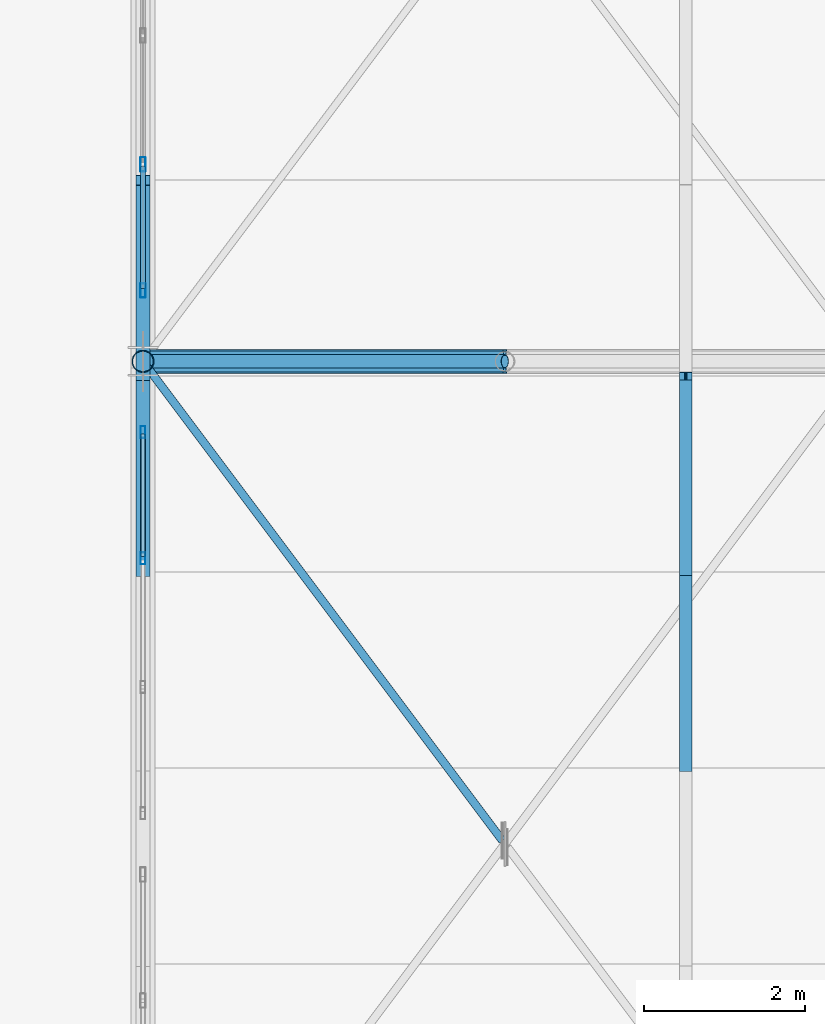
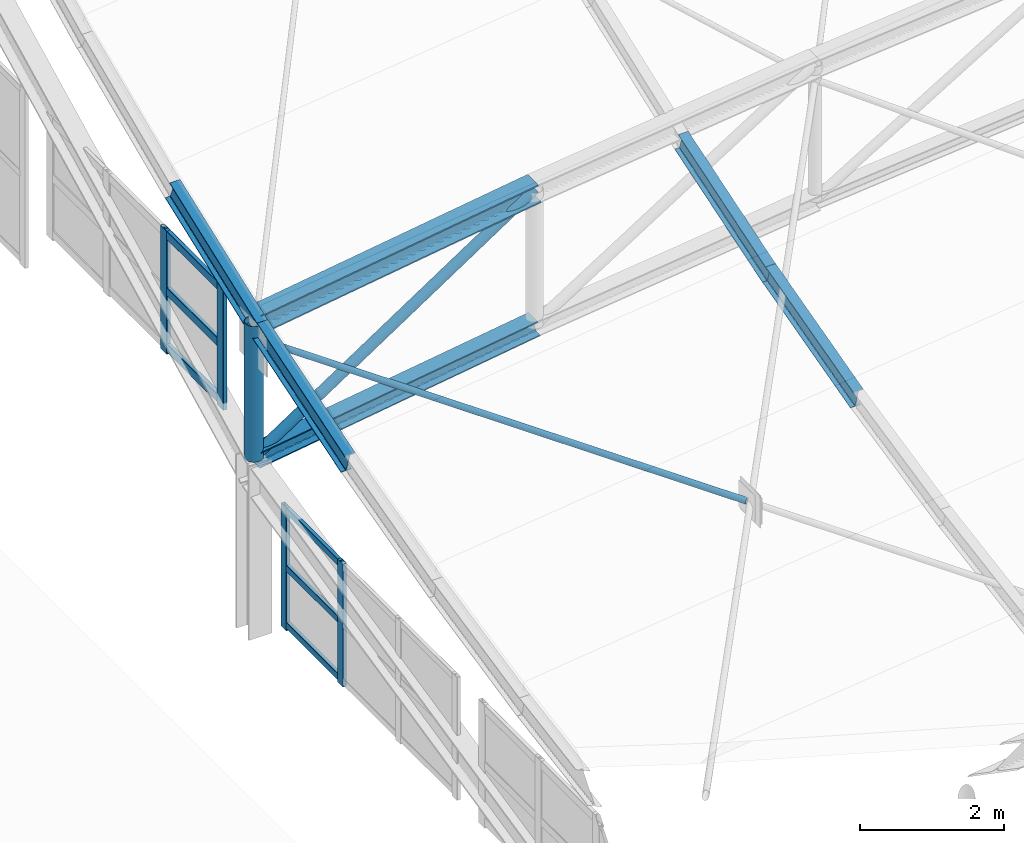
# One storey, part 112 of 262: 19 members, 2 elements without a shape of their own.
"""IFC4 building model written with IfcOpenShell, lengths in metres."""

from ifc_helpers import new_model, si_unit, derived_unit, direction, frame, origin, origin_2d, place, context, subcontext, project, spatial, hollow_rectangle, hollow_circle, i_section, extrude, material, layer, layer_set, material_profile, profile_set, type_object, element, aggregate, save


model = new_model("IFC4")

# Units and contexts
model_context = context("Model", 3, precision=1e-05, world=origin(), true_north=direction((0.0, 1.0)))
body_context = subcontext(model_context, "Body", "Model", "MODEL_VIEW")
ifc_project = project(units=[si_unit("LENGTHUNIT", "METRE"), si_unit("AREAUNIT", "SQUARE_METRE"), si_unit("VOLUMEUNIT", "CUBIC_METRE"), si_unit("PLANEANGLEUNIT", "RADIAN"), si_unit("MASSUNIT", "GRAM", prefix="KILO"), derived_unit("THERMALTRANSMITTANCEUNIT", [(si_unit("POWERUNIT", "WATT"), 1), (si_unit("LENGTHUNIT", "METRE"), -2), (si_unit("THERMODYNAMICTEMPERATUREUNIT", "KELVIN"), -1)])], contexts=[model_context])

# Site, building, storey
site_placement = place(None, origin())
site = spatial("IfcSite", under=ifc_project, at=site_placement, CompositionType="ELEMENT")
building_placement = place(site_placement, origin())
building = spatial("IfcBuilding", under=site, at=building_placement, Name="Almenara Railside Exhibition Hall", CompositionType="ELEMENT")
storey_placement = place(building_placement, frame((0.0, 0.0, 21.699951171875)))
storey = spatial("IfcBuildingStorey", under=building, at=storey_placement, Name="RF", CompositionType="ELEMENT", Elevation=21.699951171875)

# Members
ifc_material_1 = material(Name="Structural steel S355JR", Category="steel")
ifc_material_profile_1 = material_profile(ifc_material_1, i_section(OverallWidth=0.260009765625, OverallDepth=0.260009765625, WebThickness=0.010009765625, FlangeThickness=0.017578125, FilletRadius=0.02392578125, at=origin_2d()), Name="HEB 260")
ifc_profile_set_1 = profile_set([ifc_material_profile_1], Name="Structural steel S355JR")
member_type_1 = type_object("IfcMemberType", Name="Arched Truss Bottom Chord HEB 260 S355JR", PredefinedType="CHORD", material=ifc_profile_set_1)
member_1_placement = place(storey_placement, frame((12.0, 120.0, 0.541259765625), z_axis=(0.9890290442, 0.0, 0.147721189165), x_axis=(0.0, 1.0, 0.0)))
element("IfcMember", 1, at=member_1_placement, inside=storey, type_object=member_type_1, Name="MEM-BC-V1-06-00", PredefinedType="CHORD", context=body_context, shape_type="SweptSolid", body=[
    extrude(i_section(OverallWidth=0.260009765625, OverallDepth=0.260009765625, WebThickness=0.010009765625, FlangeThickness=0.017578125, FilletRadius=0.02392578125, at=origin_2d()), origin(), (0.0, 0.0, 1.0), 4.5498046875),
])
ifc_material_profile_2 = material_profile(ifc_material_1, i_section(OverallWidth=0.300048828125, OverallDepth=0.320068359375, WebThickness=0.011474609375, FlangeThickness=0.0205078125, FilletRadius=0.027099609375, at=origin_2d()), Name="HEB 320")
ifc_profile_set_2 = profile_set([ifc_material_profile_2], Name="Structural steel S355JR")
member_type_2 = type_object("IfcMemberType", Name="Arched Truss Top Chord HEB 320 S355JR", PredefinedType="CHORD", material=ifc_profile_set_2)
member_2_placement = place(storey_placement, frame((12.0, 120.0, 2.84130859375), z_axis=(0.9890290442, 0.0, 0.147721189165), x_axis=(0.0, 1.0, 0.0)))
element("IfcMember", 2, at=member_2_placement, inside=storey, type_object=member_type_2, Name="MEM-TC-V1-06-00", PredefinedType="CHORD", context=body_context, shape_type="SweptSolid", body=[
    extrude(i_section(OverallWidth=0.300048828125, OverallDepth=0.320068359375, WebThickness=0.011474609375, FlangeThickness=0.0205078125, FilletRadius=0.027099609375, at=origin_2d()), origin(), (0.0, 0.0, 1.0), 4.5498046875),
])

# Curtain wall, members
ifc_material_2 = material(Name="Bronze-anodised aluminium and low-E double glazing", Category="aluminium")
ifc_layer = layer(ifc_material_2, 0.179931640625, Name="Bronze-anodised aluminium and low-E double glazing")
ifc_layer_set = layer_set([ifc_layer], Name="Bronze-anodised aluminium and low-E double glazing")
curtain_wall_type = type_object("IfcCurtainWallType", Name="West Hall Clerestory Curtain Wall 4200x2400", PredefinedType="NOTDEFINED", material=ifc_layer_set)
curtain_wall_1_placement = place(storey_placement, origin())
curtain_wall_1 = element("IfcCurtainWall", 3, at=curtain_wall_1_placement, inside=storey, type_object=curtain_wall_type, Name="Curtain wall CW-CL1-189", PredefinedType="NOTDEFINED")
ifc_material_3 = material(Name="Bronze-anodised aluminium", Category="aluminium")
ifc_material_profile_3 = material_profile(ifc_material_3, hollow_rectangle(XDim=0.06005859375, YDim=0.14990234375, WallThickness=0.00341796875, InnerFilletRadius=0.00341796875, OuterFilletRadius=0.007080078125, at=origin_2d()), Name="ALU-MUL 60x150x3.5")
ifc_profile_set_3 = profile_set([ifc_material_profile_3], Name="Bronze-anodised aluminium")
member_type_3 = type_object("IfcMemberType", Name="Curtain Wall Mullion 60x150x3.5", PredefinedType="MULLION", material=ifc_profile_set_3)
member_3_placement = place(storey_placement, frame((12.0, 117.550048828125, -1.824951171875), z_axis=(0.0, 0.0, 1.0), x_axis=(-1.0, 0.0, 0.0)))
member_3 = element("IfcMember", 4, at=member_3_placement, type_object=member_type_3, Name="CW-CL1-189 mullion 3", PredefinedType="MULLION", context=body_context, shape_type="SweptSolid", body=[
    extrude(hollow_rectangle(XDim=0.06005859375, YDim=0.14990234375, WallThickness=0.00341796875, InnerFilletRadius=0.00341796875, OuterFilletRadius=0.007080078125, at=origin_2d()), origin(), (0.0, 0.0, 1.0), 2.0849609375),
])
member_4_placement = place(storey_placement, frame((12.0, 119.1201171875, -1.824951171875), z_axis=(0.0, 0.0, 1.0), x_axis=(-1.0, 0.0, 0.0)))
member_4 = element("IfcMember", 5, at=member_4_placement, type_object=member_type_3, Name="CW-CL1-189 mullion 4", PredefinedType="MULLION", context=body_context, shape_type="SweptSolid", body=[
    extrude(hollow_rectangle(XDim=0.06005859375, YDim=0.14990234375, WallThickness=0.00341796875, InnerFilletRadius=0.00341796875, OuterFilletRadius=0.007080078125, at=origin_2d()), origin(), (0.0, 0.0, 1.0), 2.0849609375),
])

curtain_wall_2_placement = place(storey_placement, origin())
curtain_wall_2 = element("IfcCurtainWall", 6, at=curtain_wall_2_placement, inside=storey, type_object=curtain_wall_type, Name="Curtain wall CW-CL1-192", PredefinedType="NOTDEFINED")
ifc_material_profile_4 = material_profile(ifc_material_3, hollow_rectangle(XDim=0.06494140625, YDim=0.179931640625, WallThickness=0.00390625, InnerFilletRadius=0.00390625, OuterFilletRadius=0.008056640625, at=origin_2d()), Name="ALU-MUL 65x180x4")
ifc_profile_set_4 = profile_set([ifc_material_profile_4], Name="Bronze-anodised aluminium")
member_type_4 = type_object("IfcMemberType", Name="Curtain Wall Mullion 65x180x4", PredefinedType="MULLION", material=ifc_profile_set_4)
member_5_placement = place(storey_placement, frame((12.0, 120.882568359375, 0.85498046875), z_axis=(0.0, 0.0, 1.0), x_axis=(-1.0, 0.0, 0.0)))
member_5 = element("IfcMember", 7, at=member_5_placement, type_object=member_type_4, Name="CW-CL1-192 mullion 1", PredefinedType="MULLION", context=body_context, shape_type="SweptSolid", body=[
    extrude(hollow_rectangle(XDim=0.06494140625, YDim=0.179931640625, WallThickness=0.00390625, InnerFilletRadius=0.00390625, OuterFilletRadius=0.008056640625, at=origin_2d()), origin(), (0.0, 0.0, 1.0), 2.0849609375),
])
member_6_placement = place(storey_placement, frame((12.0, 122.449951171875, 0.85498046875), z_axis=(0.0, 0.0, 1.0), x_axis=(-1.0, 0.0, 0.0)))
member_6 = element("IfcMember", 8, at=member_6_placement, type_object=member_type_4, Name="CW-CL1-192 mullion 2", PredefinedType="MULLION", context=body_context, shape_type="SweptSolid", body=[
    extrude(hollow_rectangle(XDim=0.06494140625, YDim=0.179931640625, WallThickness=0.00390625, InnerFilletRadius=0.00390625, OuterFilletRadius=0.008056640625, at=origin_2d()), origin(), (0.0, 0.0, 1.0), 2.0849609375),
])

# Member
ifc_material_profile_5 = material_profile(ifc_material_3, hollow_rectangle(XDim=0.06005859375, YDim=0.110107421875, WallThickness=0.0029296875, InnerFilletRadius=0.0029296875, OuterFilletRadius=0.006103515625, at=origin_2d()), Name="ALU-TRN 60x110x3")
ifc_profile_set_5 = profile_set([ifc_material_profile_5], Name="Bronze-anodised aluminium")
member_type_5 = type_object("IfcMemberType", Name="Curtain Wall Transom 60x110x3", PredefinedType="USERDEFINED", material=ifc_profile_set_5)
member_7_placement = place(storey_placement, frame((12.0, 117.572021484375, -1.73486328125), z_axis=(0.0, 1.0, 0.0), x_axis=(-1.0, 0.0, 0.0)))
member_7 = element("IfcMember", 9, at=member_7_placement, type_object=member_type_5, Name="CW-CL1-189 transom 3.1", ObjectType="TRANSOM", PredefinedType="USERDEFINED", context=body_context, shape_type="SweptSolid", body=[
    extrude(hollow_rectangle(XDim=0.06005859375, YDim=0.110107421875, WallThickness=0.0029296875, InnerFilletRadius=0.0029296875, OuterFilletRadius=0.006103515625, at=origin_2d()), origin(), (0.0, 0.0, 1.0), 1.52587890625),
])

member_8_placement = place(storey_placement, frame((12.0, 117.572021484375, -0.764892578125), z_axis=(0.0, 1.0, 0.0), x_axis=(-1.0, 0.0, 0.0)))
member_8 = element("IfcMember", 10, at=member_8_placement, type_object=member_type_5, Name="CW-CL1-189 transom 3.2", ObjectType="TRANSOM", PredefinedType="USERDEFINED", context=body_context, shape_type="SweptSolid", body=[
    extrude(hollow_rectangle(XDim=0.06005859375, YDim=0.110107421875, WallThickness=0.0029296875, InnerFilletRadius=0.0029296875, OuterFilletRadius=0.006103515625, at=origin_2d()), origin(), (0.0, 0.0, 1.0), 1.52587890625),
])

member_9_placement = place(storey_placement, frame((12.0, 117.572021484375, 0.205078125), z_axis=(0.0, 1.0, 0.0), x_axis=(-1.0, 0.0, 0.0)))
member_9 = element("IfcMember", 11, at=member_9_placement, type_object=member_type_5, Name="CW-CL1-189 transom 3.3", ObjectType="TRANSOM", PredefinedType="USERDEFINED", context=body_context, shape_type="SweptSolid", body=[
    extrude(hollow_rectangle(XDim=0.06005859375, YDim=0.110107421875, WallThickness=0.0029296875, InnerFilletRadius=0.0029296875, OuterFilletRadius=0.006103515625, at=origin_2d()), origin(), (0.0, 0.0, 1.0), 1.52587890625),
])

aggregate(curtain_wall_1, [member_3, member_4, member_7, member_8, member_9])

ifc_material_profile_6 = material_profile(ifc_material_3, hollow_rectangle(XDim=0.06494140625, YDim=0.139892578125, WallThickness=0.00341796875, InnerFilletRadius=0.00341796875, OuterFilletRadius=0.007080078125, at=origin_2d()), Name="ALU-TRN 65x140x3.5")
ifc_profile_set_6 = profile_set([ifc_material_profile_6], Name="Bronze-anodised aluminium")
member_type_6 = type_object("IfcMemberType", Name="Curtain Wall Transom 65x140x3.5", PredefinedType="USERDEFINED", material=ifc_profile_set_6)
member_10_placement = place(storey_placement, frame((12.0, 120.906982421875, 0.9599609375), z_axis=(0.0, 1.0, 0.0), x_axis=(-1.0, 0.0, 0.0)))
member_10 = element("IfcMember", 12, at=member_10_placement, type_object=member_type_6, Name="CW-CL1-192 transom 1.1", ObjectType="TRANSOM", PredefinedType="USERDEFINED", context=body_context, shape_type="SweptSolid", body=[
    extrude(hollow_rectangle(XDim=0.06494140625, YDim=0.139892578125, WallThickness=0.00341796875, InnerFilletRadius=0.00341796875, OuterFilletRadius=0.007080078125, at=origin_2d()), origin(), (0.0, 0.0, 1.0), 1.5185546875),
])

member_11_placement = place(storey_placement, frame((12.0, 120.906982421875, 1.9150390625), z_axis=(0.0, 1.0, 0.0), x_axis=(-1.0, 0.0, 0.0)))
member_11 = element("IfcMember", 13, at=member_11_placement, type_object=member_type_6, Name="CW-CL1-192 transom 1.2", ObjectType="TRANSOM", PredefinedType="USERDEFINED", context=body_context, shape_type="SweptSolid", body=[
    extrude(hollow_rectangle(XDim=0.06494140625, YDim=0.139892578125, WallThickness=0.00341796875, InnerFilletRadius=0.00341796875, OuterFilletRadius=0.007080078125, at=origin_2d()), origin(), (0.0, 0.0, 1.0), 1.5185546875),
])

member_12_placement = place(storey_placement, frame((12.0, 120.906982421875, 2.8701171875), z_axis=(0.0, 1.0, 0.0), x_axis=(-1.0, 0.0, 0.0)))
member_12 = element("IfcMember", 14, at=member_12_placement, type_object=member_type_6, Name="CW-CL1-192 transom 1.3", ObjectType="TRANSOM", PredefinedType="USERDEFINED", context=body_context, shape_type="SweptSolid", body=[
    extrude(hollow_rectangle(XDim=0.06494140625, YDim=0.139892578125, WallThickness=0.00341796875, InnerFilletRadius=0.00341796875, OuterFilletRadius=0.007080078125, at=origin_2d()), origin(), (0.0, 0.0, 1.0), 1.5185546875),
])

aggregate(curtain_wall_2, [member_5, member_6, member_10, member_11, member_12])

# Members
ifc_material_profile_7 = material_profile(ifc_material_1, i_section(OverallWidth=0.159912109375, OverallDepth=0.330078125, WebThickness=0.007568359375, FlangeThickness=0.011474609375, FilletRadius=0.01806640625, at=origin_2d()), Name="IPE 330")
ifc_profile_set_7 = profile_set([ifc_material_profile_7], Name="Structural steel S355JR")
member_type_7 = type_object("IfcMemberType", Name="Gable Bay Purlin IPE 330 S355JR", PredefinedType="PURLIN", material=ifc_profile_set_7)
member_13_placement = place(storey_placement, frame((18.75, 114.943115234375, 2.228515625), z_axis=(0.0, 0.966201190487, 0.257789176462), x_axis=(-1.0, 0.0, 0.0)))
element("IfcMember", 15, at=member_13_placement, inside=storey, type_object=member_type_7, Name="MEM-PR-V1-PR-IPE330-01-21", PredefinedType="PURLIN", context=body_context, shape_type="SweptSolid", body=[
    extrude(i_section(OverallWidth=0.159912109375, OverallDepth=0.330078125, WebThickness=0.007568359375, FlangeThickness=0.011474609375, FilletRadius=0.01806640625, at=origin_2d()), origin(), (0.0, 0.0, 1.0), 2.52197265625),
])
member_14_placement = place(storey_placement, frame((18.75, 117.3798828125, 2.873291015625), z_axis=(0.0, 0.952440767254, 0.304723784553), x_axis=(-1.0, 0.0, 0.0)))
element("IfcMember", 16, at=member_14_placement, inside=storey, type_object=member_type_7, Name="MEM-PR-V1-PR-IPE330-01-22", PredefinedType="PURLIN", context=body_context, shape_type="SweptSolid", body=[
    extrude(i_section(OverallWidth=0.159912109375, OverallDepth=0.330078125, WebThickness=0.007568359375, FlangeThickness=0.011474609375, FilletRadius=0.01806640625, at=origin_2d()), origin(), (0.0, 0.0, 1.0), 2.55810546875),
])
ifc_material_profile_8 = material_profile(ifc_material_1, i_section(OverallWidth=0.169921875, OverallDepth=0.360107421875, WebThickness=0.008056640625, FlangeThickness=0.0126953125, FilletRadius=0.01806640625, at=origin_2d()), Name="IPE 360")
ifc_profile_set_8 = profile_set([ifc_material_profile_8], Name="Structural steel S355JR")
member_type_8 = type_object("IfcMemberType", Name="Long-Span Scroll Purlin IPE 360 S355JR", PredefinedType="PURLIN", material=ifc_profile_set_8)
member_15_placement = place(storey_placement, frame((12.0, 117.3798828125, 2.028564453125), z_axis=(0.0, 0.952440767254, 0.304723784553), x_axis=(-1.0, 0.0, 0.0)))
element("IfcMember", 17, at=member_15_placement, inside=storey, type_object=member_type_8, Name="MEM-PR-V1-PR-IPE360-00-22", PredefinedType="PURLIN", context=body_context, shape_type="SweptSolid", body=[
    extrude(i_section(OverallWidth=0.169921875, OverallDepth=0.360107421875, WebThickness=0.008056640625, FlangeThickness=0.0126953125, FilletRadius=0.01806640625, at=origin_2d()), origin(), (0.0, 0.0, 1.0), 2.55810546875),
])
member_16_placement = place(storey_placement, frame((12.0, 119.81640625, 2.801025390625), z_axis=(0.0, 0.936171044044, 0.351544842508), x_axis=(-1.0, 0.0, 0.0)))
element("IfcMember", 18, at=member_16_placement, inside=storey, type_object=member_type_8, Name="MEM-PR-V1-PR-IPE360-00-23", PredefinedType="PURLIN", context=body_context, shape_type="SweptSolid", body=[
    extrude(i_section(OverallWidth=0.169921875, OverallDepth=0.360107421875, WebThickness=0.008056640625, FlangeThickness=0.0126953125, FilletRadius=0.01806640625, at=origin_2d()), origin(), (0.0, 0.0, 1.0), 2.60302734375),
])
ifc_material_profile_9 = material_profile(ifc_material_1, hollow_circle(Radius=0.05078125, WallThickness=0.00390625, at=origin_2d()), Name="CHS 101.6x4")
ifc_profile_set_9 = profile_set([ifc_material_profile_9], Name="Structural steel S355JR")
member_type_9 = type_object("IfcMemberType", Name="Scroll Wind Plan Brace CHS 101.6x4 S355JR", PredefinedType="BRACE", material=ifc_profile_set_9)
member_17_placement = place(storey_placement, frame((16.46728515625, 114.043701171875, 1.83935546875), z_axis=(-0.597204451366, 0.796261722591, 0.096509649289), x_axis=(-0.799996065092, -0.600005246508, 0.0)))
element("IfcMember", 19, at=member_17_placement, inside=storey, type_object=member_type_9, Name="MEM-WB-V1-WB-CHS102-05-00-S2", PredefinedType="BRACE", context=body_context, shape_type="SweptSolid", body=[
    extrude(hollow_circle(Radius=0.05078125, WallThickness=0.00390625, at=origin_2d()), origin(), (0.0, 0.0, 1.0), 7.480224609375),
])
ifc_material_profile_10 = material_profile(ifc_material_1, hollow_circle(Radius=0.084228515625, WallThickness=0.006103515625, at=origin_2d()), Name="CHS 168.3x6")
ifc_profile_set_10 = profile_set([ifc_material_profile_10], Name="Structural steel S355JR")
member_type_10 = type_object("IfcMemberType", Name="Truss End Diagonal CHS 168.3x6 S355JR", PredefinedType="BRACE", material=ifc_profile_set_10)
member_18_placement = place(storey_placement, frame((12.0, 120.0, 0.541259765625), z_axis=(0.834424544227, 0.0, 0.551122200598), x_axis=(0.0, 1.0, 0.0)))
element("IfcMember", 20, at=member_18_placement, inside=storey, type_object=member_type_10, Name="MEM-TD-V1-06-00", PredefinedType="BRACE", context=body_context, shape_type="SweptSolid", body=[
    extrude(hollow_circle(Radius=0.084228515625, WallThickness=0.006103515625, at=origin_2d()), origin(), (0.0, 0.0, 1.0), 5.392822265625),
])
ifc_material_profile_11 = material_profile(ifc_material_1, hollow_circle(Radius=0.136474609375, WallThickness=0.008056640625, at=origin_2d()), Name="CHS 273x8")
ifc_profile_set_11 = profile_set([ifc_material_profile_11], Name="Structural steel S355JR")
member_type_11 = type_object("IfcMemberType", Name="Truss Support Vertical Strut CHS 273x8 S355JR", PredefinedType="BRACE", material=ifc_profile_set_11)
member_19_placement = place(storey_placement, frame((12.0, 120.0, 0.541259765625), z_axis=(0.0, 0.0, 1.0), x_axis=(1.0, 0.0, 0.0)))
element("IfcMember", 21, at=member_19_placement, inside=storey, type_object=member_type_11, Name="MEM-TV-V1-06-00", PredefinedType="BRACE", context=body_context, shape_type="SweptSolid", body=[
    extrude(hollow_circle(Radius=0.136474609375, WallThickness=0.008056640625, at=origin_2d()), origin(), (0.0, 0.0, 1.0), 2.300048828125),
])

save(model, "model.ifc")
